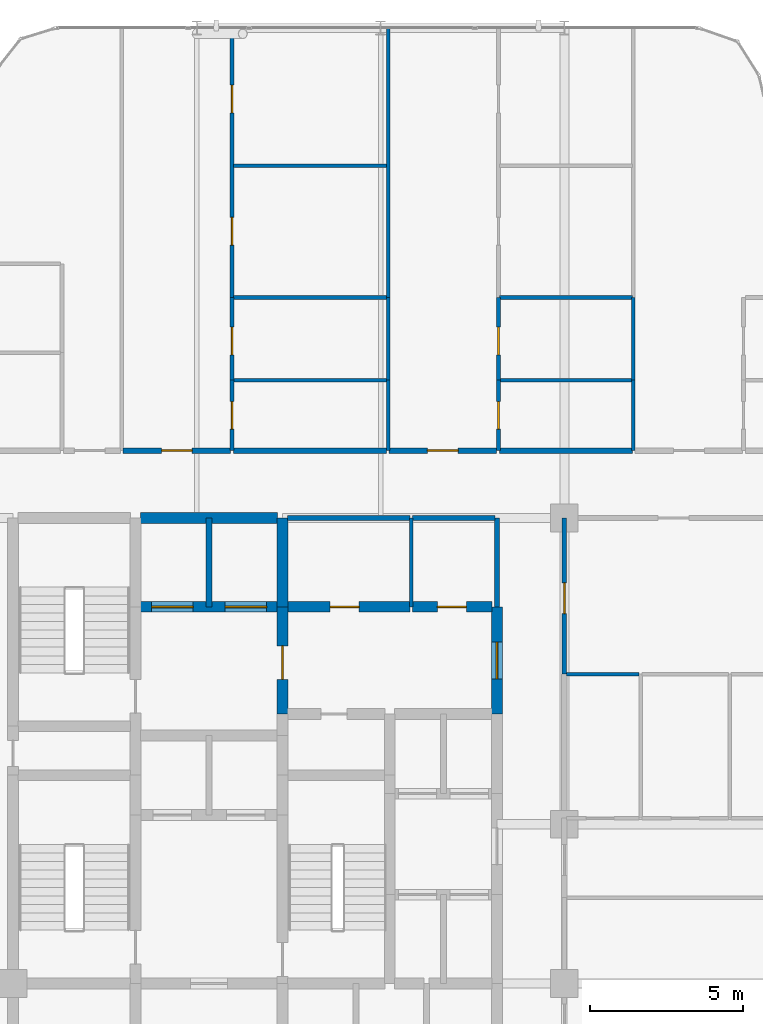
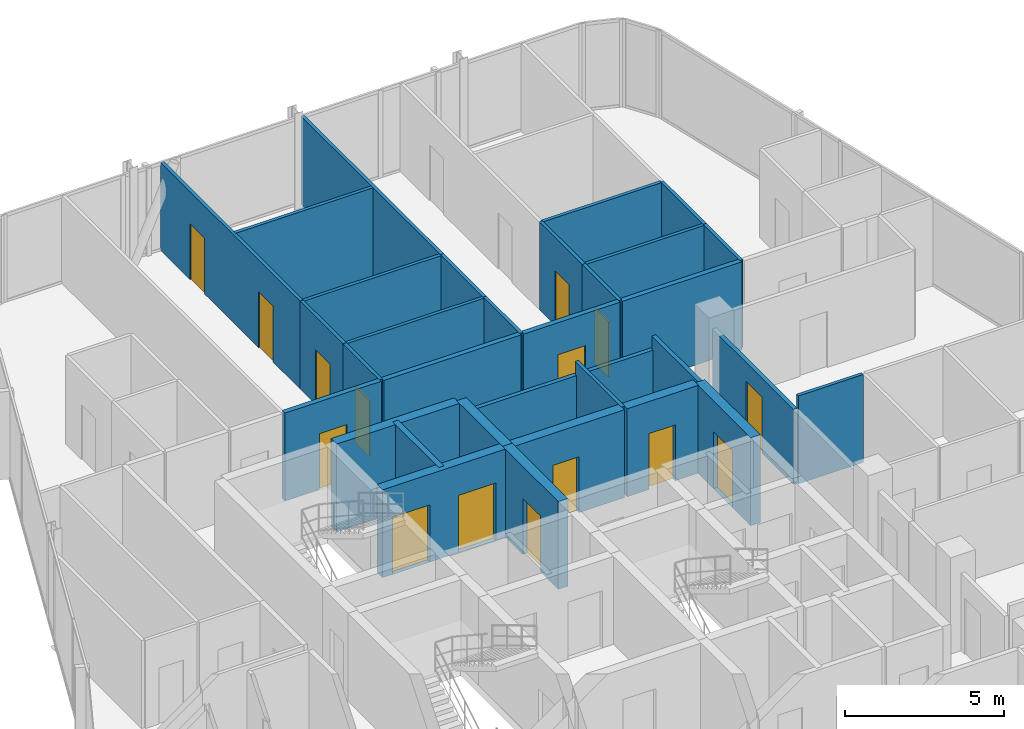
# One storey, part 27 of 29: 33 walls, 15 doors, 15 openings.
"""IFC4 building model written with IfcOpenShell, lengths in metres."""

from ifc_helpers import new_model, si_unit, direction, frame, frame_2d, origin, place, context, subcontext, project, spatial, rectangle, extrude, material, layer, layer_set, type_object, element, fill, save


model = new_model("IFC4")

# Units and contexts
model_context = context("Model", 3, precision=1e-05, world=origin(), true_north=direction((0.0, 1.0)))
body_context = subcontext(model_context, "Body", "Model", "MODEL_VIEW")
ifc_project = project(units=[si_unit("LENGTHUNIT", "METRE"), si_unit("AREAUNIT", "SQUARE_METRE"), si_unit("VOLUMEUNIT", "CUBIC_METRE"), si_unit("PLANEANGLEUNIT", "RADIAN"), si_unit("MASSUNIT", "GRAM", prefix="KILO")], contexts=[model_context])

# Site, building, storey
site_placement = place(None, origin())
site = spatial("IfcSite", under=ifc_project, at=site_placement, CompositionType="ELEMENT")
building_placement = place(site_placement, origin())
building = spatial("IfcBuilding", under=site, at=building_placement, Name="Keshet Zoharim Tower", CompositionType="ELEMENT")
storey_placement = place(building_placement, frame((0.0, 0.0, 180.199951171875)))
storey = spatial("IfcBuildingStorey", under=building, at=storey_placement, Name="L44", CompositionType="ELEMENT", Elevation=180.199951171875)

# Wall
ifc_material_1 = material(Name="Gypsum Plasterboard", Category="gypsum")
ifc_layer_1 = layer(ifc_material_1, 0.14990234375)
ifc_layer_set_1 = layer_set([ifc_layer_1], Name="Gypsum Plasterboard")
wall_type_1 = type_object("IfcWallType", Name="WL-CLIN-150", PredefinedType="STANDARD", material=ifc_layer_set_1)
wall_1_placement = place(storey_placement, frame((30.800048828125, 35.0, 0.0), z_axis=(0.0, 0.0, 1.0), x_axis=(0.0, 1.0, 0.0)))
element("IfcWall", 1, at=wall_1_placement, inside=storey, type_object=wall_type_1, Name="L44 Interior Wall 066", PredefinedType="STANDARD", context=body_context, shape_type="SweptSolid", body=[
    extrude(rectangle(XDim=2.89990234375, YDim=0.14990234375, at=frame_2d((1.449951171875, 0.0))), origin(), (0.0, 0.0, 1.0), 3.380126953125),
])

# Wall, opening, door
wall_2_placement = place(storey_placement, frame((33.0, 32.800048828125, 0.0), z_axis=(0.0, 0.0, 1.0), x_axis=(0.0, 1.0, 0.0)))
wall_2 = element("IfcWall", 2, at=wall_2_placement, inside=storey, type_object=wall_type_1, Name="L44 Interior Wall 078", PredefinedType="STANDARD", context=body_context, shape_type="SweptSolid", body=[
    extrude(rectangle(XDim=5.099853515625, YDim=0.14990234375, at=frame_2d((2.5498046875, 0.0))), origin(), (0.0, 0.0, 1.0), 2.880126953125),
])
opening_1_placement = place(wall_2_placement, frame((1.97802734375, 0.0, 0.0)))
opening_1 = element("IfcOpeningElement", 3, at=opening_1_placement, cuts=wall_2, Name="Opening D-F310", PredefinedType="OPENING", context=body_context, shape_type="SweptSolid", body=[
    extrude(rectangle(XDim=1.0, YDim=2.14990234375, at=frame_2d((0.5, 1.074951171875))), frame((0.0, 0.0849609375, 0.0), z_axis=(0.0, -1.0, 0.0), x_axis=(1.0, 0.0, 0.0)), (0.0, 0.0, 1.0), 0.169921875),
])
ifc_material_2 = material(Name="Hardwood Timber", Category="wood")
door_type_1 = type_object("IfcDoorType", Name="DR-FD30-100", OperationType="NOTDEFINED", PredefinedType="DOOR", material=ifc_material_2)
door_1_placement = place(opening_1_placement, origin())
door_1 = element("IfcDoor", 4, at=door_1_placement, inside=storey, type_object=door_type_1, Name="L44 North West Residents Services Suite Door 2", OperationType="SINGLE_SWING_LEFT", OverallHeight=2.14990234375, OverallWidth=1.0, PredefinedType="DOOR", context=body_context, shape_type="SweptSolid", body=[
    extrude(rectangle(XDim=1.0, YDim=2.14990234375, at=frame_2d((0.5, 1.074951171875))), frame((0.0, 0.02490234375, 0.0), z_axis=(0.0, -1.0, 0.0), x_axis=(1.0, 0.0, 0.0)), (0.0, 0.0, 1.0), 0.050048828125),
])
fill(opening_1, door_1)

# Walls
wall_3_placement = place(storey_placement, frame((23.9599609375, 37.89990234375, 0.0), z_axis=(0.0, 0.0, 1.0), x_axis=(1.0, 0.0, 0.0)))
element("IfcWall", 5, at=wall_3_placement, inside=storey, type_object=wall_type_1, Name="L44 Interior Wall 180", PredefinedType="STANDARD", context=body_context, shape_type="SweptSolid", body=[
    extrude(rectangle(XDim=3.9951171875, YDim=0.14990234375, at=frame_2d((1.99755859375, 0.0))), origin(), (0.0, 0.0, 1.0), 2.880126953125),
])
wall_4_placement = place(storey_placement, frame((28.044921875, 37.89990234375, 0.0), z_axis=(0.0, 0.0, 1.0), x_axis=(1.0, 0.0, 0.0)))
element("IfcWall", 6, at=wall_4_placement, inside=storey, type_object=wall_type_1, Name="L44 Interior Wall 181", PredefinedType="STANDARD", context=body_context, shape_type="SweptSolid", body=[
    extrude(rectangle(XDim=2.695068359375, YDim=0.14990234375, at=frame_2d((1.34765625, 0.0))), origin(), (0.0, 0.0, 1.0), 2.880126953125),
])

# Wall, opening, door
ifc_material_3 = material(Name="Concrete C60/75", Category="concrete")
ifc_layer_2 = layer(ifc_material_3, 0.35009765625)
ifc_layer_set_2 = layer_set([ifc_layer_2], Name="Concrete C60/75")
wall_type_2 = type_object("IfcWallType", Name="WL-CORE-350", PredefinedType="SHEAR", material=ifc_layer_set_2)
wall_5_placement = place(storey_placement, frame((23.800048828125, 31.5, 0.0), z_axis=(0.0, 0.0, 1.0), x_axis=(0.0, 1.0, 0.0)))
wall_5 = element("IfcWall", 7, at=wall_5_placement, inside=storey, type_object=wall_type_2, Name="L44 Core Shear Wall 042", PredefinedType="SHEAR", context=body_context, shape_type="SweptSolid", body=[
    extrude(rectangle(XDim=3.5, YDim=0.35009765625, at=frame_2d((1.75, 0.0))), origin(), (0.0, 0.0, 1.0), 3.380126953125),
])
opening_2_placement = place(wall_5_placement, frame((1.126953125, 0.0, 0.0)))
opening_2 = element("IfcOpeningElement", 8, at=opening_2_placement, cuts=wall_5, Name="Opening D-F611", PredefinedType="OPENING", context=body_context, shape_type="SweptSolid", body=[
    extrude(rectangle(XDim=1.10009765625, YDim=2.14990234375, at=frame_2d((0.550048828125, 1.074951171875))), frame((0.0, 0.18505859375, 0.0), z_axis=(0.0, -1.0, 0.0), x_axis=(1.0, 0.0, 0.0)), (0.0, 0.0, 1.0), 0.3701171875),
])
door_type_2 = type_object("IfcDoorType", Name="DR-FD60-110", OperationType="NOTDEFINED", PredefinedType="DOOR", material=ifc_material_2)
door_2_placement = place(opening_2_placement, origin())
door_2 = element("IfcDoor", 9, at=door_2_placement, inside=storey, type_object=door_type_2, Name="L44 Firefighting Lobby Fire Door", OperationType="SINGLE_SWING_RIGHT", OverallHeight=2.14990234375, OverallWidth=1.10009765625, PredefinedType="DOOR", context=body_context, shape_type="SweptSolid", body=[
    extrude(rectangle(XDim=1.10009765625, YDim=2.14990234375, at=frame_2d((0.550048828125, 1.074951171875))), frame((0.0, 0.02490234375, 0.0), z_axis=(0.0, -1.0, 0.0), x_axis=(1.0, 0.0, 0.0)), (0.0, 0.0, 1.0), 0.050048828125),
])
fill(opening_2, door_2)

# Wall
wall_6_placement = place(storey_placement, frame((23.800048828125, 35.0, 0.0), z_axis=(0.0, 0.0, 1.0), x_axis=(0.0, 1.0, 0.0)))
element("IfcWall", 10, at=wall_6_placement, inside=storey, type_object=wall_type_2, Name="L44 Core Shear Wall 043", PredefinedType="SHEAR", context=body_context, shape_type="SweptSolid", body=[
    extrude(rectangle(XDim=2.89990234375, YDim=0.35009765625, at=frame_2d((1.449951171875, 0.0))), origin(), (0.0, 0.0, 1.0), 3.380126953125),
])

# Wall, opening, door
wall_7_placement = place(storey_placement, frame((30.800048828125, 31.5, 0.0), z_axis=(0.0, 0.0, 1.0), x_axis=(0.0, 1.0, 0.0)))
wall_7 = element("IfcWall", 11, at=wall_7_placement, inside=storey, type_object=wall_type_2, Name="L44 Core Shear Wall 065", PredefinedType="SHEAR", context=body_context, shape_type="SweptSolid", body=[
    extrude(rectangle(XDim=3.5, YDim=0.35009765625, at=frame_2d((1.75, 0.0))), origin(), (0.0, 0.0, 1.0), 3.380126953125),
])
opening_3_placement = place(wall_7_placement, frame((1.14990234375, 0.0, 0.0)))
opening_3 = element("IfcOpeningElement", 12, at=opening_3_placement, cuts=wall_7, Name="Opening D-F612", PredefinedType="OPENING", context=body_context, shape_type="SweptSolid", body=[
    extrude(rectangle(XDim=1.199951171875, YDim=2.199951171875, at=frame_2d((0.60009765625, 1.10009765625))), frame((0.0, 0.18505859375, 0.0), z_axis=(0.0, -1.0, 0.0), x_axis=(1.0, 0.0, 0.0)), (0.0, 0.0, 1.0), 0.3701171875),
])
door_type_3 = type_object("IfcDoorType", Name="DR-FD60-120", OperationType="NOTDEFINED", PredefinedType="DOOR", material=ifc_material_2)
door_3_placement = place(opening_3_placement, origin())
door_3 = element("IfcDoor", 13, at=door_3_placement, inside=storey, type_object=door_type_3, Name="L44 North Lift Lobby East Fire Door", OperationType="SINGLE_SWING_RIGHT", OverallHeight=2.199951171875, OverallWidth=1.199951171875, PredefinedType="DOOR", context=body_context, shape_type="SweptSolid", body=[
    extrude(rectangle(XDim=1.199951171875, YDim=2.199951171875, at=frame_2d((0.60009765625, 1.10009765625))), frame((0.0, 0.02490234375, 0.0), z_axis=(0.0, -1.0, 0.0), x_axis=(1.0, 0.0, 0.0)), (0.0, 0.0, 1.0), 0.050048828125),
])
fill(opening_3, door_3)

# Wall, openings, doors
wall_8_placement = place(storey_placement, frame((19.159912109375, 35.0, 0.0), z_axis=(0.0, 0.0, 1.0), x_axis=(1.0, 0.0, 0.0)))
wall_8 = element("IfcWall", 14, at=wall_8_placement, inside=storey, type_object=wall_type_2, Name="L44 Core Shear Wall 175", PredefinedType="SHEAR", context=body_context, shape_type="SweptSolid", body=[
    extrude(rectangle(XDim=4.47998046875, YDim=0.35009765625, at=frame_2d((2.239990234375, 0.0))), origin(), (0.0, 0.0, 1.0), 3.380126953125),
])
opening_4_placement = place(wall_8_placement, frame((0.364990234375, 0.0, 0.0)))
opening_4 = element("IfcOpeningElement", 15, at=opening_4_placement, cuts=wall_8, Name="Opening LD-02", PredefinedType="OPENING", context=body_context, shape_type="SweptSolid", body=[
    extrude(rectangle(XDim=1.35009765625, YDim=2.199951171875, at=frame_2d((0.675048828125, 1.10009765625))), frame((0.0, 0.18505859375, 0.0), z_axis=(0.0, -1.0, 0.0), x_axis=(1.0, 0.0, 0.0)), (0.0, 0.0, 1.0), 0.3701171875),
])
opening_5_placement = place(wall_8_placement, frame((2.764892578125, 0.0, 0.0)))
opening_5 = element("IfcOpeningElement", 16, at=opening_5_placement, cuts=wall_8, Name="Opening LD-02", PredefinedType="OPENING", context=body_context, shape_type="SweptSolid", body=[
    extrude(rectangle(XDim=1.35009765625, YDim=2.199951171875, at=frame_2d((0.675048828125, 1.10009765625))), frame((0.0, 0.18505859375, 0.0), z_axis=(0.0, -1.0, 0.0), x_axis=(1.0, 0.0, 0.0)), (0.0, 0.0, 1.0), 0.3701171875),
])
ifc_material_4 = material(Name="Steel S355", Category="steel")
door_type_4 = type_object("IfcDoorType", Name="DR-LD02-135", OperationType="DOUBLE_DOOR_SLIDING", PredefinedType="DOOR", material=ifc_material_4)
door_4_placement = place(opening_4_placement, origin())
door_4 = element("IfcDoor", 17, at=door_4_placement, inside=storey, type_object=door_type_4, Name="L44 Firefighting Lift Landing Door FF-01", OperationType="DOUBLE_DOOR_SLIDING", OverallHeight=2.199951171875, OverallWidth=1.35009765625, PredefinedType="DOOR", context=body_context, shape_type="SweptSolid", body=[
    extrude(rectangle(XDim=1.35009765625, YDim=2.199951171875, at=frame_2d((0.675048828125, 1.10009765625))), frame((0.0, 0.02490234375, 0.0), z_axis=(0.0, -1.0, 0.0), x_axis=(1.0, 0.0, 0.0)), (0.0, 0.0, 1.0), 0.050048828125),
])
fill(opening_4, door_4)
door_5_placement = place(opening_5_placement, origin())
door_5 = element("IfcDoor", 18, at=door_5_placement, inside=storey, type_object=door_type_4, Name="L44 Firefighting Lift Landing Door FF-02", OperationType="DOUBLE_DOOR_SLIDING", OverallHeight=2.199951171875, OverallWidth=1.35009765625, PredefinedType="DOOR", context=body_context, shape_type="SweptSolid", body=[
    extrude(rectangle(XDim=1.35009765625, YDim=2.199951171875, at=frame_2d((0.675048828125, 1.10009765625))), frame((0.0, 0.02490234375, 0.0), z_axis=(0.0, -1.0, 0.0), x_axis=(1.0, 0.0, 0.0)), (0.0, 0.0, 1.0), 0.050048828125),
])
fill(opening_5, door_5)

# Wall, opening, door
wall_9_placement = place(storey_placement, frame((23.9599609375, 35.0, 0.0), z_axis=(0.0, 0.0, 1.0), x_axis=(1.0, 0.0, 0.0)))
wall_9 = element("IfcWall", 19, at=wall_9_placement, inside=storey, type_object=wall_type_2, Name="L44 Core Shear Wall 176", PredefinedType="SHEAR", context=body_context, shape_type="SweptSolid", body=[
    extrude(rectangle(XDim=3.9951171875, YDim=0.35009765625, at=frame_2d((1.99755859375, 0.0))), origin(), (0.0, 0.0, 1.0), 3.380126953125),
])
opening_6_placement = place(wall_9_placement, frame((1.39306640625, 0.0, 0.0)))
opening_6 = element("IfcOpeningElement", 20, at=opening_6_placement, cuts=wall_9, Name="Opening D-F695", PredefinedType="OPENING", context=body_context, shape_type="SweptSolid", body=[
    extrude(rectangle(XDim=0.949951171875, YDim=2.14990234375, at=frame_2d((0.47509765625, 1.074951171875))), frame((0.0, 0.18505859375, 0.0), z_axis=(0.0, -1.0, 0.0), x_axis=(1.0, 0.0, 0.0)), (0.0, 0.0, 1.0), 0.3701171875),
])
door_type_5 = type_object("IfcDoorType", Name="DR-FD60-095", OperationType="NOTDEFINED", PredefinedType="DOOR", material=ifc_material_2)
door_6_placement = place(opening_6_placement, frame((0.949951171875, 0.0, 0.0), z_axis=(0.0, 0.0, 1.0), x_axis=(-1.0, 0.0, 0.0)))
door_6 = element("IfcDoor", 21, at=door_6_placement, inside=storey, type_object=door_type_5, Name="L44 Laundry Room Door", OperationType="SINGLE_SWING_LEFT", OverallHeight=2.14990234375, OverallWidth=0.949951171875, PredefinedType="DOOR", context=body_context, shape_type="SweptSolid", body=[
    extrude(rectangle(XDim=0.949951171875, YDim=2.14990234375, at=frame_2d((0.47509765625, 1.074951171875))), frame((0.0, 0.02490234375, 0.0), z_axis=(0.0, -1.0, 0.0), x_axis=(1.0, 0.0, 0.0)), (0.0, 0.0, 1.0), 0.050048828125),
])
fill(opening_6, door_6)

wall_10_placement = place(storey_placement, frame((28.044921875, 35.0, 0.0), z_axis=(0.0, 0.0, 1.0), x_axis=(1.0, 0.0, 0.0)))
wall_10 = element("IfcWall", 22, at=wall_10_placement, inside=storey, type_object=wall_type_2, Name="L44 Core Shear Wall 177", PredefinedType="SHEAR", context=body_context, shape_type="SweptSolid", body=[
    extrude(rectangle(XDim=2.594970703125, YDim=0.35009765625, at=frame_2d((1.29736328125, 0.0))), origin(), (0.0, 0.0, 1.0), 3.380126953125),
])
opening_7_placement = place(wall_10_placement, frame((0.805908203125, 0.0, 0.0)))
opening_7 = element("IfcOpeningElement", 23, at=opening_7_placement, cuts=wall_10, Name="Opening D-F695", PredefinedType="OPENING", context=body_context, shape_type="SweptSolid", body=[
    extrude(rectangle(XDim=0.949951171875, YDim=2.14990234375, at=frame_2d((0.47509765625, 1.074951171875))), frame((0.0, 0.18505859375, 0.0), z_axis=(0.0, -1.0, 0.0), x_axis=(1.0, 0.0, 0.0)), (0.0, 0.0, 1.0), 0.3701171875),
])
door_7_placement = place(opening_7_placement, frame((0.949951171875, 0.0, 0.0), z_axis=(0.0, 0.0, 1.0), x_axis=(-1.0, 0.0, 0.0)))
door_7 = element("IfcDoor", 24, at=door_7_placement, inside=storey, type_object=door_type_5, Name="L44 Quiet Study Room Door", OperationType="SINGLE_SWING_RIGHT", OverallHeight=2.14990234375, OverallWidth=0.949951171875, PredefinedType="DOOR", context=body_context, shape_type="SweptSolid", body=[
    extrude(rectangle(XDim=0.949951171875, YDim=2.14990234375, at=frame_2d((0.47509765625, 1.074951171875))), frame((0.0, 0.02490234375, 0.0), z_axis=(0.0, -1.0, 0.0), x_axis=(1.0, 0.0, 0.0)), (0.0, 0.0, 1.0), 0.050048828125),
])
fill(opening_7, door_7)

# Wall
wall_11_placement = place(storey_placement, frame((19.159912109375, 37.89990234375, 0.0), z_axis=(0.0, 0.0, 1.0), x_axis=(1.0, 0.0, 0.0)))
element("IfcWall", 25, at=wall_11_placement, inside=storey, type_object=wall_type_2, Name="L44 Core Shear Wall 179", PredefinedType="SHEAR", context=body_context, shape_type="SweptSolid", body=[
    extrude(rectangle(XDim=4.47998046875, YDim=0.35009765625, at=frame_2d((2.239990234375, 0.0))), origin(), (0.0, 0.0, 1.0), 3.380126953125),
])

# Wall, opening, door
ifc_layer_3 = layer(ifc_material_1, 0.179931640625)
ifc_layer_set_3 = layer_set([ifc_layer_3], Name="Gypsum Plasterboard")
wall_type_3 = type_object("IfcWallType", Name="WL-CORR-180", PredefinedType="STANDARD", material=ifc_layer_set_3)
wall_12_placement = place(storey_placement, frame((18.594970703125, 40.10009765625, 0.0), z_axis=(0.0, 0.0, 1.0), x_axis=(1.0, 0.0, 0.0)))
wall_12 = element("IfcWall", 26, at=wall_12_placement, inside=storey, type_object=wall_type_3, Name="L44 Interior Wall 188", PredefinedType="STANDARD", context=body_context, shape_type="SweptSolid", body=[
    extrude(rectangle(XDim=3.510009765625, YDim=0.179931640625, at=frame_2d((1.7548828125, 0.0))), origin(), (0.0, 0.0, 1.0), 3.380126953125),
])
opening_8_placement = place(wall_12_placement, frame((1.2548828125, 0.0, 0.0)))
opening_8 = element("IfcOpeningElement", 27, at=opening_8_placement, cuts=wall_12, Name="Opening D-F310", PredefinedType="OPENING", context=body_context, shape_type="SweptSolid", body=[
    extrude(rectangle(XDim=1.0, YDim=2.14990234375, at=frame_2d((0.5, 1.074951171875))), frame((0.0, 0.10009765625, 0.0), z_axis=(0.0, -1.0, 0.0), x_axis=(1.0, 0.0, 0.0)), (0.0, 0.0, 1.0), 0.199951171875),
])
door_8_placement = place(opening_8_placement, origin())
door_8 = element("IfcDoor", 28, at=door_8_placement, inside=storey, type_object=door_type_1, Name="Apartment 4406 Entrance Door", OperationType="SINGLE_SWING_LEFT", OverallHeight=2.14990234375, OverallWidth=1.0, PredefinedType="DOOR", context=body_context, shape_type="SweptSolid", body=[
    extrude(rectangle(XDim=1.0, YDim=2.14990234375, at=frame_2d((0.5, 1.074951171875))), frame((0.0, 0.02490234375, 0.0), z_axis=(0.0, -1.0, 0.0), x_axis=(1.0, 0.0, 0.0)), (0.0, 0.0, 1.0), 0.050048828125),
])
fill(opening_8, door_8)

# Wall
wall_13_placement = place(storey_placement, frame((22.195068359375, 40.10009765625, 0.0), z_axis=(0.0, 0.0, 1.0), x_axis=(1.0, 0.0, 0.0)))
element("IfcWall", 29, at=wall_13_placement, inside=storey, type_object=wall_type_3, Name="L44 Interior Wall 189", PredefinedType="STANDARD", context=body_context, shape_type="SweptSolid", body=[
    extrude(rectangle(XDim=4.989990234375, YDim=0.179931640625, at=frame_2d((2.4951171875, 0.0))), origin(), (0.0, 0.0, 1.0), 3.380126953125),
])

# Wall, opening, door
wall_14_placement = place(storey_placement, frame((27.27490234375, 40.10009765625, 0.0), z_axis=(0.0, 0.0, 1.0), x_axis=(1.0, 0.0, 0.0)))
wall_14 = element("IfcWall", 30, at=wall_14_placement, inside=storey, type_object=wall_type_3, Name="L44 Interior Wall 190", PredefinedType="STANDARD", context=body_context, shape_type="SweptSolid", body=[
    extrude(rectangle(XDim=3.510009765625, YDim=0.179931640625, at=frame_2d((1.7548828125, 0.0))), origin(), (0.0, 0.0, 1.0), 3.380126953125),
])
opening_9_placement = place(wall_14_placement, frame((1.2548828125, 0.0, 0.0)))
opening_9 = element("IfcOpeningElement", 31, at=opening_9_placement, cuts=wall_14, Name="Opening D-F310", PredefinedType="OPENING", context=body_context, shape_type="SweptSolid", body=[
    extrude(rectangle(XDim=1.0, YDim=2.14990234375, at=frame_2d((0.5, 1.074951171875))), frame((0.0, 0.10009765625, 0.0), z_axis=(0.0, -1.0, 0.0), x_axis=(1.0, 0.0, 0.0)), (0.0, 0.0, 1.0), 0.199951171875),
])
door_9_placement = place(opening_9_placement, origin())
door_9 = element("IfcDoor", 32, at=door_9_placement, inside=storey, type_object=door_type_1, Name="Apartment 4407 Entrance Door", OperationType="SINGLE_SWING_RIGHT", OverallHeight=2.14990234375, OverallWidth=1.0, PredefinedType="DOOR", context=body_context, shape_type="SweptSolid", body=[
    extrude(rectangle(XDim=1.0, YDim=2.14990234375, at=frame_2d((0.5, 1.074951171875))), frame((0.0, 0.02490234375, 0.0), z_axis=(0.0, -1.0, 0.0), x_axis=(1.0, 0.0, 0.0)), (0.0, 0.0, 1.0), 0.050048828125),
])
fill(opening_9, door_9)

# Walls
wall_15_placement = place(storey_placement, frame((30.875, 40.10009765625, 0.0), z_axis=(0.0, 0.0, 1.0), x_axis=(1.0, 0.0, 0.0)))
element("IfcWall", 33, at=wall_15_placement, inside=storey, type_object=wall_type_3, Name="L44 Interior Wall 191", PredefinedType="STANDARD", context=body_context, shape_type="SweptSolid", body=[
    extrude(rectangle(XDim=4.35009765625, YDim=0.179931640625, at=frame_2d((2.175048828125, 0.0))), origin(), (0.0, 0.0, 1.0), 3.380126953125),
])
ifc_material_5 = material(Name="Concrete C50/60", Category="concrete")
ifc_layer_4 = layer(ifc_material_5, 0.199951171875)
ifc_layer_set_4 = layer_set([ifc_layer_4], Name="Concrete C50/60")
wall_type_4 = type_object("IfcWallType", Name="WL-FIRE-200", PredefinedType="STANDARD", material=ifc_layer_set_4)
wall_16_placement = place(storey_placement, frame((21.39990234375, 35.0, 0.0), z_axis=(0.0, 0.0, 1.0), x_axis=(0.0, 1.0, 0.0)))
element("IfcWall", 34, at=wall_16_placement, inside=storey, type_object=wall_type_4, Name="L44 Interior Wall 033", PredefinedType="STANDARD", context=body_context, shape_type="SweptSolid", body=[
    extrude(rectangle(XDim=2.89990234375, YDim=0.199951171875, at=frame_2d((1.449951171875, 0.0))), origin(), (0.0, 0.0, 1.0), 3.380126953125),
])

# Wall, opening, door
ifc_layer_5 = layer(ifc_material_1, 0.1201171875)
ifc_layer_set_5 = layer_set([ifc_layer_5], Name="Gypsum Plasterboard")
wall_type_5 = type_object("IfcWallType", Name="WL-PART-120", PredefinedType="PARTITIONING", material=ifc_layer_set_5)
wall_17_placement = place(storey_placement, frame((22.14990234375, 40.10009765625, 0.0), z_axis=(0.0, 0.0, 1.0), x_axis=(0.0, 1.0, 0.0)))
wall_17 = element("IfcWall", 35, at=wall_17_placement, inside=storey, type_object=wall_type_5, Name="L44 Interior Wall 034", PredefinedType="PARTITIONING", context=body_context, shape_type="SweptSolid", body=[
    extrude(rectangle(XDim=2.2998046875, YDim=0.1201171875, at=frame_2d((1.14990234375, 0.0))), origin(), (0.0, 0.0, 1.0), 3.380126953125),
])
opening_10_placement = place(wall_17_placement, frame((0.699951171875, 0.0, 0.0)))
opening_10 = element("IfcOpeningElement", 36, at=opening_10_placement, cuts=wall_17, Name="Opening D-IN90", PredefinedType="OPENING", context=body_context, shape_type="SweptSolid", body=[
    extrude(rectangle(XDim=0.89990234375, YDim=2.14990234375, at=frame_2d((0.449951171875, 1.074951171875))), frame((0.0, 0.070068359375, 0.0), z_axis=(0.0, -1.0, 0.0), x_axis=(1.0, 0.0, 0.0)), (0.0, 0.0, 1.0), 0.14013671875),
])
door_type_6 = type_object("IfcDoorType", Name="DR-INT-090", OperationType="NOTDEFINED", PredefinedType="DOOR", material=ifc_material_2)
door_10_placement = place(opening_10_placement, origin())
door_10 = element("IfcDoor", 37, at=door_10_placement, inside=storey, type_object=door_type_6, Name="Apartment 4406 Kitchen Door", OperationType="SINGLE_SWING_LEFT", OverallHeight=2.14990234375, OverallWidth=0.89990234375, PredefinedType="DOOR", context=body_context, shape_type="SweptSolid", body=[
    extrude(rectangle(XDim=0.89990234375, YDim=2.14990234375, at=frame_2d((0.449951171875, 1.074951171875))), frame((0.0, 0.02490234375, 0.0), z_axis=(0.0, -1.0, 0.0), x_axis=(1.0, 0.0, 0.0)), (0.0, 0.0, 1.0), 0.050048828125),
])
fill(opening_10, door_10)

# Wall, openings, doors
wall_18_placement = place(storey_placement, frame((22.14990234375, 45.10009765625, 0.0), z_axis=(0.0, 0.0, 1.0), x_axis=(0.0, 1.0, 0.0)))
wall_18 = element("IfcWall", 38, at=wall_18_placement, inside=storey, type_object=wall_type_5, Name="L44 Interior Wall 036", PredefinedType="PARTITIONING", context=body_context, shape_type="SweptSolid", body=[
    extrude(rectangle(XDim=8.789794921875, YDim=0.1201171875, at=frame_2d((4.39501953125, 0.0))), origin(), (0.0, 0.0, 1.0), 3.380126953125),
])
opening_11_placement = place(wall_18_placement, frame((1.7119140625, 0.0, 0.0)))
opening_11 = element("IfcOpeningElement", 39, at=opening_11_placement, cuts=wall_18, Name="Opening D-IN90", PredefinedType="OPENING", context=body_context, shape_type="SweptSolid", body=[
    extrude(rectangle(XDim=0.89990234375, YDim=2.14990234375, at=frame_2d((0.449951171875, 1.074951171875))), frame((0.0, 0.070068359375, 0.0), z_axis=(0.0, -1.0, 0.0), x_axis=(1.0, 0.0, 0.0)), (0.0, 0.0, 1.0), 0.14013671875),
])
opening_12_placement = place(wall_18_placement, frame((6.030029296875, 0.0, 0.0)))
opening_12 = element("IfcOpeningElement", 40, at=opening_12_placement, cuts=wall_18, Name="Opening D-IN90", PredefinedType="OPENING", context=body_context, shape_type="SweptSolid", body=[
    extrude(rectangle(XDim=0.89990234375, YDim=2.14990234375, at=frame_2d((0.449951171875, 1.074951171875))), frame((0.0, 0.070068359375, 0.0), z_axis=(0.0, -1.0, 0.0), x_axis=(1.0, 0.0, 0.0)), (0.0, 0.0, 1.0), 0.14013671875),
])
door_11_placement = place(opening_11_placement, origin())
door_11 = element("IfcDoor", 41, at=door_11_placement, inside=storey, type_object=door_type_6, Name="Apartment 4406 Bedroom 1 Door", OperationType="SINGLE_SWING_LEFT", OverallHeight=2.14990234375, OverallWidth=0.89990234375, PredefinedType="DOOR", context=body_context, shape_type="SweptSolid", body=[
    extrude(rectangle(XDim=0.89990234375, YDim=2.14990234375, at=frame_2d((0.449951171875, 1.074951171875))), frame((0.0, 0.02490234375, 0.0), z_axis=(0.0, -1.0, 0.0), x_axis=(1.0, 0.0, 0.0)), (0.0, 0.0, 1.0), 0.050048828125),
])
fill(opening_11, door_11)
door_12_placement = place(opening_12_placement, origin())
door_12 = element("IfcDoor", 42, at=door_12_placement, inside=storey, type_object=door_type_6, Name="Apartment 4406 Bedroom 2 Door", OperationType="SINGLE_SWING_RIGHT", OverallHeight=2.14990234375, OverallWidth=0.89990234375, PredefinedType="DOOR", context=body_context, shape_type="SweptSolid", body=[
    extrude(rectangle(XDim=0.89990234375, YDim=2.14990234375, at=frame_2d((0.449951171875, 1.074951171875))), frame((0.0, 0.02490234375, 0.0), z_axis=(0.0, -1.0, 0.0), x_axis=(1.0, 0.0, 0.0)), (0.0, 0.0, 1.0), 0.050048828125),
])
fill(opening_12, door_12)

# Walls
wall_19_placement = place(storey_placement, frame((27.25, 40.10009765625, 0.0), z_axis=(0.0, 0.0, 1.0), x_axis=(0.0, 1.0, 0.0)))
element("IfcWall", 43, at=wall_19_placement, inside=storey, type_object=wall_type_5, Name="L44 Interior Wall 048", PredefinedType="PARTITIONING", context=body_context, shape_type="SweptSolid", body=[
    extrude(rectangle(XDim=2.2998046875, YDim=0.1201171875, at=frame_2d((1.14990234375, 0.0))), origin(), (0.0, 0.0, 1.0), 3.380126953125),
])
wall_20_placement = place(storey_placement, frame((27.25, 45.10009765625, 0.0), z_axis=(0.0, 0.0, 1.0), x_axis=(0.0, 1.0, 0.0)))
element("IfcWall", 44, at=wall_20_placement, inside=storey, type_object=wall_type_5, Name="L44 Interior Wall 050", PredefinedType="PARTITIONING", context=body_context, shape_type="SweptSolid", body=[
    extrude(rectangle(XDim=8.789794921875, YDim=0.1201171875, at=frame_2d((4.39501953125, 0.0))), origin(), (0.0, 0.0, 1.0), 3.380126953125),
])
wall_21_placement = place(storey_placement, frame((28.0, 35.0, 0.0), z_axis=(0.0, 0.0, 1.0), x_axis=(0.0, 1.0, 0.0)))
element("IfcWall", 45, at=wall_21_placement, inside=storey, type_object=wall_type_5, Name="L44 Interior Wall 055", PredefinedType="PARTITIONING", context=body_context, shape_type="SweptSolid", body=[
    extrude(rectangle(XDim=2.89990234375, YDim=0.1201171875, at=frame_2d((1.449951171875, 0.0))), origin(), (0.0, 0.0, 1.0), 3.380126953125),
])

# Wall, opening, door
wall_22_placement = place(storey_placement, frame((30.85009765625, 40.10009765625, 0.0), z_axis=(0.0, 0.0, 1.0), x_axis=(0.0, 1.0, 0.0)))
wall_22 = element("IfcWall", 46, at=wall_22_placement, inside=storey, type_object=wall_type_5, Name="L44 Interior Wall 067", PredefinedType="PARTITIONING", context=body_context, shape_type="SweptSolid", body=[
    extrude(rectangle(XDim=2.2998046875, YDim=0.1201171875, at=frame_2d((1.14990234375, 0.0))), origin(), (0.0, 0.0, 1.0), 3.380126953125),
])
opening_13_placement = place(wall_22_placement, frame((0.699951171875, 0.0, 0.0)))
opening_13 = element("IfcOpeningElement", 47, at=opening_13_placement, cuts=wall_22, Name="Opening D-IN90", PredefinedType="OPENING", context=body_context, shape_type="SweptSolid", body=[
    extrude(rectangle(XDim=0.89990234375, YDim=2.14990234375, at=frame_2d((0.449951171875, 1.074951171875))), frame((0.0, 0.070068359375, 0.0), z_axis=(0.0, -1.0, 0.0), x_axis=(1.0, 0.0, 0.0)), (0.0, 0.0, 1.0), 0.14013671875),
])
door_13_placement = place(opening_13_placement, origin())
door_13 = element("IfcDoor", 48, at=door_13_placement, inside=storey, type_object=door_type_6, Name="Apartment 4407 Kitchen Door", OperationType="SINGLE_SWING_LEFT", OverallHeight=2.14990234375, OverallWidth=0.89990234375, PredefinedType="DOOR", context=body_context, shape_type="SweptSolid", body=[
    extrude(rectangle(XDim=0.89990234375, YDim=2.14990234375, at=frame_2d((0.449951171875, 1.074951171875))), frame((0.0, 0.02490234375, 0.0), z_axis=(0.0, -1.0, 0.0), x_axis=(1.0, 0.0, 0.0)), (0.0, 0.0, 1.0), 0.050048828125),
])
fill(opening_13, door_13)

# Walls
wall_23_placement = place(storey_placement, frame((35.25, 40.10009765625, 0.0), z_axis=(0.0, 0.0, 1.0), x_axis=(0.0, 1.0, 0.0)))
element("IfcWall", 49, at=wall_23_placement, inside=storey, type_object=wall_type_5, Name="L44 Interior Wall 080", PredefinedType="PARTITIONING", context=body_context, shape_type="SweptSolid", body=[
    extrude(rectangle(XDim=2.2998046875, YDim=0.1201171875, at=frame_2d((1.14990234375, 0.0))), origin(), (0.0, 0.0, 1.0), 3.380126953125),
])
wall_24_placement = place(storey_placement, frame((33.074951171875, 32.800048828125, 0.0), z_axis=(0.0, 0.0, 1.0), x_axis=(1.0, 0.0, 0.0)))
element("IfcWall", 50, at=wall_24_placement, inside=storey, type_object=wall_type_5, Name="L44 Interior Wall 172", PredefinedType="PARTITIONING", context=body_context, shape_type="SweptSolid", body=[
    extrude(rectangle(XDim=2.364013671875, YDim=0.1201171875, at=frame_2d((1.18212890625, 0.0))), origin(), (0.0, 0.0, 1.0), 3.380126953125),
])
wall_25_placement = place(storey_placement, frame((22.195068359375, 49.39990234375, 0.0), z_axis=(0.0, 0.0, 1.0), x_axis=(1.0, 0.0, 0.0)))
element("IfcWall", 51, at=wall_25_placement, inside=storey, type_object=wall_type_5, Name="L44 Interior Wall 204", PredefinedType="PARTITIONING", context=body_context, shape_type="SweptSolid", body=[
    extrude(rectangle(XDim=4.989990234375, YDim=0.1201171875, at=frame_2d((2.4951171875, 0.0))), origin(), (0.0, 0.0, 1.0), 3.380126953125),
])

# Wall, opening, door
ifc_layer_6 = layer(ifc_material_1, 0.1201171875)
ifc_layer_set_6 = layer_set([ifc_layer_6], Name="Gypsum Plasterboard")
wall_type_6 = type_object("IfcWallType", Name="WL-WET-120", PredefinedType="PARTITIONING", material=ifc_layer_set_6)
wall_26_placement = place(storey_placement, frame((22.14990234375, 42.39990234375, 0.0), z_axis=(0.0, 0.0, 1.0), x_axis=(0.0, 1.0, 0.0)))
wall_26 = element("IfcWall", 52, at=wall_26_placement, inside=storey, type_object=wall_type_6, Name="L44 Interior Wall 035", PredefinedType="PARTITIONING", context=body_context, shape_type="SweptSolid", body=[
    extrude(rectangle(XDim=2.7001953125, YDim=0.1201171875, at=frame_2d((1.35009765625, 0.0))), origin(), (0.0, 0.0, 1.0), 3.380126953125),
])
opening_14_placement = place(wall_26_placement, frame((0.827880859375, 0.0, 0.0)))
opening_14 = element("IfcOpeningElement", 53, at=opening_14_placement, cuts=wall_26, Name="Opening D-WT90", PredefinedType="OPENING", context=body_context, shape_type="SweptSolid", body=[
    extrude(rectangle(XDim=0.89990234375, YDim=2.10009765625, at=frame_2d((0.449951171875, 1.050048828125))), frame((0.0, 0.070068359375, 0.0), z_axis=(0.0, -1.0, 0.0), x_axis=(1.0, 0.0, 0.0)), (0.0, 0.0, 1.0), 0.14013671875),
])
door_type_7 = type_object("IfcDoorType", Name="DR-WET-090", OperationType="NOTDEFINED", PredefinedType="DOOR", material=ifc_material_2)
door_14_placement = place(opening_14_placement, origin())
door_14 = element("IfcDoor", 54, at=door_14_placement, inside=storey, type_object=door_type_7, Name="Apartment 4406 Bathroom Door", OperationType="SINGLE_SWING_RIGHT", OverallHeight=2.10009765625, OverallWidth=0.89990234375, PredefinedType="DOOR", context=body_context, shape_type="SweptSolid", body=[
    extrude(rectangle(XDim=0.89990234375, YDim=2.10009765625, at=frame_2d((0.449951171875, 1.050048828125))), frame((0.0, 0.02490234375, 0.0), z_axis=(0.0, -1.0, 0.0), x_axis=(1.0, 0.0, 0.0)), (0.0, 0.0, 1.0), 0.050048828125),
])
fill(opening_14, door_14)

# Wall
wall_27_placement = place(storey_placement, frame((27.25, 42.39990234375, 0.0), z_axis=(0.0, 0.0, 1.0), x_axis=(0.0, 1.0, 0.0)))
element("IfcWall", 55, at=wall_27_placement, inside=storey, type_object=wall_type_6, Name="L44 Interior Wall 049", PredefinedType="PARTITIONING", context=body_context, shape_type="SweptSolid", body=[
    extrude(rectangle(XDim=2.7001953125, YDim=0.1201171875, at=frame_2d((1.35009765625, 0.0))), origin(), (0.0, 0.0, 1.0), 3.380126953125),
])

# Wall, opening, door
wall_28_placement = place(storey_placement, frame((30.85009765625, 42.39990234375, 0.0), z_axis=(0.0, 0.0, 1.0), x_axis=(0.0, 1.0, 0.0)))
wall_28 = element("IfcWall", 56, at=wall_28_placement, inside=storey, type_object=wall_type_6, Name="L44 Interior Wall 068", PredefinedType="PARTITIONING", context=body_context, shape_type="SweptSolid", body=[
    extrude(rectangle(XDim=2.7001953125, YDim=0.1201171875, at=frame_2d((1.35009765625, 0.0))), origin(), (0.0, 0.0, 1.0), 3.380126953125),
])
opening_15_placement = place(wall_28_placement, frame((0.827880859375, 0.0, 0.0)))
opening_15 = element("IfcOpeningElement", 57, at=opening_15_placement, cuts=wall_28, Name="Opening D-WT90", PredefinedType="OPENING", context=body_context, shape_type="SweptSolid", body=[
    extrude(rectangle(XDim=0.89990234375, YDim=2.10009765625, at=frame_2d((0.449951171875, 1.050048828125))), frame((0.0, 0.070068359375, 0.0), z_axis=(0.0, -1.0, 0.0), x_axis=(1.0, 0.0, 0.0)), (0.0, 0.0, 1.0), 0.14013671875),
])
door_15_placement = place(opening_15_placement, origin())
door_15 = element("IfcDoor", 58, at=door_15_placement, inside=storey, type_object=door_type_7, Name="Apartment 4407 Bathroom Door", OperationType="SINGLE_SWING_RIGHT", OverallHeight=2.10009765625, OverallWidth=0.89990234375, PredefinedType="DOOR", context=body_context, shape_type="SweptSolid", body=[
    extrude(rectangle(XDim=0.89990234375, YDim=2.10009765625, at=frame_2d((0.449951171875, 1.050048828125))), frame((0.0, 0.02490234375, 0.0), z_axis=(0.0, -1.0, 0.0), x_axis=(1.0, 0.0, 0.0)), (0.0, 0.0, 1.0), 0.050048828125),
])
fill(opening_15, door_15)

# Walls
wall_29_placement = place(storey_placement, frame((35.25, 42.39990234375, 0.0), z_axis=(0.0, 0.0, 1.0), x_axis=(0.0, 1.0, 0.0)))
element("IfcWall", 59, at=wall_29_placement, inside=storey, type_object=wall_type_6, Name="L44 Interior Wall 081", PredefinedType="PARTITIONING", context=body_context, shape_type="SweptSolid", body=[
    extrude(rectangle(XDim=2.7001953125, YDim=0.1201171875, at=frame_2d((1.35009765625, 0.0))), origin(), (0.0, 0.0, 1.0), 3.380126953125),
])
wall_30_placement = place(storey_placement, frame((22.195068359375, 42.39990234375, 0.0), z_axis=(0.0, 0.0, 1.0), x_axis=(1.0, 0.0, 0.0)))
element("IfcWall", 60, at=wall_30_placement, inside=storey, type_object=wall_type_6, Name="L44 Interior Wall 196", PredefinedType="PARTITIONING", context=body_context, shape_type="SweptSolid", body=[
    extrude(rectangle(XDim=4.989990234375, YDim=0.1201171875, at=frame_2d((2.4951171875, 0.0))), origin(), (0.0, 0.0, 1.0), 3.380126953125),
])
wall_31_placement = place(storey_placement, frame((30.875, 42.39990234375, 0.0), z_axis=(0.0, 0.0, 1.0), x_axis=(1.0, 0.0, 0.0)))
element("IfcWall", 61, at=wall_31_placement, inside=storey, type_object=wall_type_6, Name="L44 Interior Wall 197", PredefinedType="PARTITIONING", context=body_context, shape_type="SweptSolid", body=[
    extrude(rectangle(XDim=4.35009765625, YDim=0.1201171875, at=frame_2d((2.175048828125, 0.0))), origin(), (0.0, 0.0, 1.0), 3.380126953125),
])
wall_32_placement = place(storey_placement, frame((22.195068359375, 45.10009765625, 0.0), z_axis=(0.0, 0.0, 1.0), x_axis=(1.0, 0.0, 0.0)))
element("IfcWall", 62, at=wall_32_placement, inside=storey, type_object=wall_type_6, Name="L44 Interior Wall 200", PredefinedType="PARTITIONING", context=body_context, shape_type="SweptSolid", body=[
    extrude(rectangle(XDim=4.989990234375, YDim=0.1201171875, at=frame_2d((2.4951171875, 0.0))), origin(), (0.0, 0.0, 1.0), 3.380126953125),
])
wall_33_placement = place(storey_placement, frame((30.875, 45.10009765625, 0.0), z_axis=(0.0, 0.0, 1.0), x_axis=(1.0, 0.0, 0.0)))
element("IfcWall", 63, at=wall_33_placement, inside=storey, type_object=wall_type_6, Name="L44 Interior Wall 201", PredefinedType="PARTITIONING", context=body_context, shape_type="SweptSolid", body=[
    extrude(rectangle(XDim=4.35009765625, YDim=0.1201171875, at=frame_2d((2.175048828125, 0.0))), origin(), (0.0, 0.0, 1.0), 3.380126953125),
])

save(model, "model.ifc")
